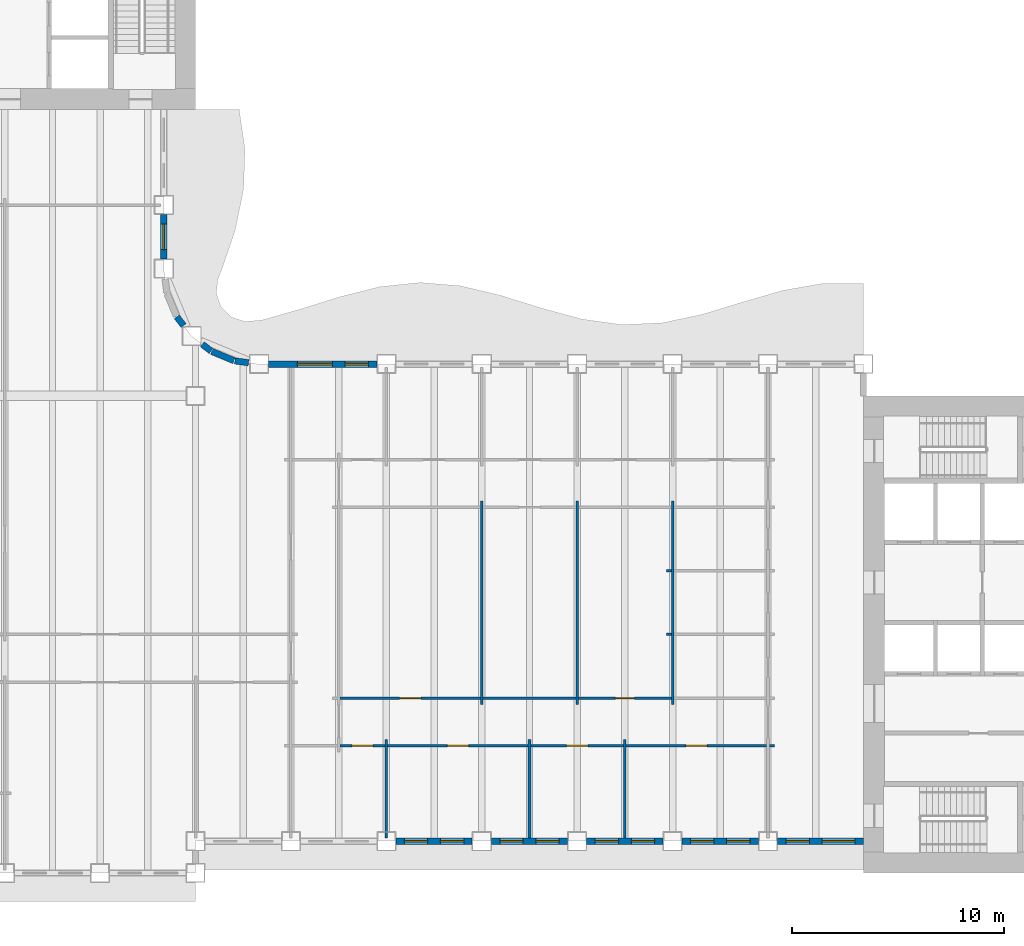
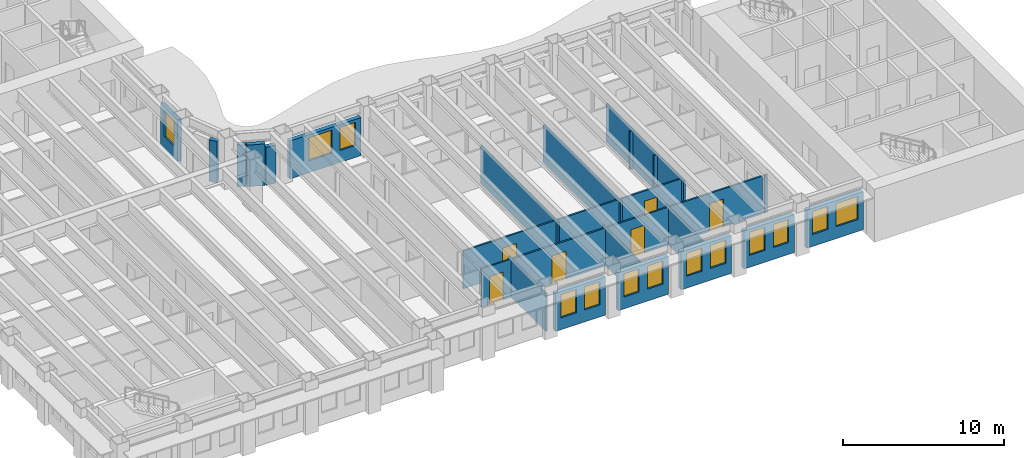
# One storey, part 5 of 16: 27 walls, 13 windows, 6 doors, 19 openings.
"""IFC4 building model written with IfcOpenShell, lengths in metres."""

import ifcopenshell
import ifcopenshell.guid

model = None  # the IFC model being written
_history = None  # IfcOwnerHistory: only IFC2X3 demands one
_inside = {}  # id of a spatial element -> (the spatial element, [elements in it])
_under = {}  # id of a project, library or spatial element -> (it, [spatial elements below it])
_declared = {}  # id of a project -> (the project, [libraries it declares])
_typed = {}  # id of a type object -> (the type object, [elements of that type])
_made_of = {}  # id of a material, layer set ... -> (it, [elements and type objects made of it])


def new_model(schema):
    """Start an empty IFC model of exactly this schema.

    Asked for "IFC4X3", IfcOpenShell would pick the latest addendum, in which some entities
    have other attributes; the version numbers below select the first issue.
    IFC2X3 requires an IfcOwnerHistory on every rooted entity: one is made here for all.
    """
    global model, _history
    if schema == "IFC4X3":
        model = ifcopenshell.file(schema_version=(4, 3, 0, 0))
    else:
        model = ifcopenshell.file(schema=schema)
    _inside.clear()
    _under.clear()
    _declared.clear()
    _typed.clear()
    _made_of.clear()
    _history = None
    if model.schema == "IFC2X3":
        org = make("IfcOrganization", Name="unknown")
        user = make(
            "IfcPersonAndOrganization",
            ThePerson=make("IfcPerson", FamilyName="unknown"),
            TheOrganization=org,
        )
        app = make(
            "IfcApplication",
            ApplicationDeveloper=org,
            Version="unknown",
            ApplicationFullName="unknown",
            ApplicationIdentifier="unknown",
        )
        _history = make(
            "IfcOwnerHistory",
            OwningUser=user,
            OwningApplication=app,
            ChangeAction="ADDED",
            CreationDate=0,
        )
    return model


def make(cls, **values):
    """One entity of the class cls with the attributes given. An attribute that is None is left unset."""
    return model.create_entity(
        cls, **{name: value for name, value in values.items() if value is not None}
    )


def rooted(cls, **values):
    """An entity with a GlobalId (a new one), such as an element, a storey or a relation."""
    return make(cls, GlobalId=ifcopenshell.guid.new(), OwnerHistory=_history, **values)


def si_unit(unit_type, name, prefix=None):
    """IfcSIUnit, for example si_unit("LENGTHUNIT", "METRE", prefix="MILLI")."""
    return make("IfcSIUnit", UnitType=unit_type, Prefix=prefix, Name=name)


def assignment(units):
    """IfcUnitAssignment: the units of a project."""
    return None if units is None else make("IfcUnitAssignment", Units=units)


def point(xyz):
    """IfcCartesianPoint."""
    return None if xyz is None else make("IfcCartesianPoint", Coordinates=xyz)


def direction(xyz):
    """IfcDirection."""
    return None if xyz is None else make("IfcDirection", DirectionRatios=xyz)


def frame(location, z_axis=None, x_axis=None):
    """IfcAxis2Placement3D, a coordinate frame: its origin and axes. An axis left out is left unset."""
    return make(
        "IfcAxis2Placement3D",
        Location=point(location),
        Axis=direction(z_axis),
        RefDirection=direction(x_axis),
    )


def frame_2d(location, x_axis=None):
    """IfcAxis2Placement2D, a coordinate frame in the plane: its origin and x axis."""
    return make(
        "IfcAxis2Placement2D", Location=point(location), RefDirection=direction(x_axis)
    )


def origin():
    """The frame at (0, 0, 0) with its axes left unset."""
    return frame((0.0, 0.0, 0.0))


def place(relative_to, where):
    """IfcLocalPlacement: puts the frame where relative to a parent placement (None: the world)."""
    return make(
        "IfcLocalPlacement", PlacementRelTo=relative_to, RelativePlacement=where
    )


def context(
    kind, dimensions, precision=None, world=None, true_north=None, identifier=None
):
    """IfcGeometricRepresentationContext, for example the 3D "Model" context."""
    return make(
        "IfcGeometricRepresentationContext",
        ContextIdentifier=identifier,
        ContextType=kind,
        CoordinateSpaceDimension=dimensions,
        Precision=precision,
        WorldCoordinateSystem=world,
        TrueNorth=true_north,
    )


def subcontext(parent, identifier, kind, view, scale=None):
    """IfcGeometricRepresentationSubContext, for example "Body" below "Model"."""
    return make(
        "IfcGeometricRepresentationSubContext",
        ContextIdentifier=identifier,
        ContextType=kind,
        ParentContext=parent,
        TargetScale=scale,
        TargetView=view,
    )


def project(units=None, contexts=None):
    """IfcProject with its units and contexts."""
    return rooted(
        "IfcProject",
        Name="project",
        RepresentationContexts=contexts,
        UnitsInContext=assignment(units),
    )


def spatial(cls, under=None, at=None, **own):
    """A site, building, storey or space (cls), placed at a placement, below another one or the project."""
    s = rooted(cls, ObjectPlacement=at, **own)
    if under is not None:
        _under.setdefault(under.id(), (under, []))[1].append(s)
    return s


def profile(cls, at=None, kind="AREA", **sizes):
    """A parametric profile (cls). Its sizes go by their IFC names, for example OverallWidth=200.0."""
    return make(cls, ProfileType=kind, Position=at, **sizes)


def rectangle(**sizes):
    """IfcRectangleProfileDef."""
    return profile("IfcRectangleProfileDef", **sizes)


def extrude(swept, where, along, depth):
    """IfcExtrudedAreaSolid: the profile swept, set in the frame where, extruded along a direction by depth."""
    return make(
        "IfcExtrudedAreaSolid",
        SweptArea=swept,
        Position=where,
        ExtrudedDirection=direction(along),
        Depth=depth,
    )


def shape(context_of_items, identifier, shape_type, items):
    """IfcShapeRepresentation: the items that make up one representation, for example the "Body"."""
    return make(
        "IfcShapeRepresentation",
        ContextOfItems=context_of_items,
        RepresentationIdentifier=identifier,
        RepresentationType=shape_type,
        Items=items,
    )


def material(Name=None, Category=None):
    """IfcMaterial."""
    return make("IfcMaterial", Name=Name, Category=Category)


def layer(
    of_material, thickness, ventilated=None, Name=None, Category=None, Priority=None
):
    """IfcMaterialLayer: one layer of a wall or slab, of a material (None: an air gap)."""
    return make(
        "IfcMaterialLayer",
        Material=of_material,
        LayerThickness=thickness,
        IsVentilated=ventilated,
        Name=Name,
        Category=Category,
        Priority=Priority,
    )


def layer_set(layers, Name=None):
    """IfcMaterialLayerSet."""
    return make("IfcMaterialLayerSet", MaterialLayers=layers, LayerSetName=Name)


def made_of(thing, what):
    """Note that an element or type object is made of a material, layer set ...; save() writes the relation."""
    if what is not None:
        _made_of.setdefault(what.id(), (what, []))[1].append(thing)
    return thing


def type_object(cls, material=None, **own):
    """A type object (cls), such as IfcWallType, which elements share."""
    return made_of(rooted(cls, **own), material)


def element(
    cls,
    number,
    at=None,
    inside=None,
    cuts=None,
    type_object=None,
    material=None,
    context=None,
    identifier="Body",
    shape_type=None,
    held_by="IfcProductDefinitionShape",
    body=None,
    shapes=None,
    **own,
):
    """One element of the class cls, such as IfcWall. Its Tag is "e" and its number.

    at: its placement. inside: the storey or other place that contains it. cuts: it is an
    opening in that element (IfcRelVoidsElement). A single representation is given by context,
    identifier, shape_type and body (its items); several are given by shapes. held_by: the class
    of the entity that holds the representations. save() writes the other relations.
    """
    e = rooted(cls, Tag="e%d" % number, ObjectPlacement=at, **own)
    if body is not None:
        shapes = [shape(context, identifier, shape_type, body)]
    if shapes is not None:
        e.Representation = make(held_by, Representations=shapes)
    if inside is not None:
        _inside.setdefault(inside.id(), (inside, []))[1].append(e)
    if cuts is not None:
        rooted(
            "IfcRelVoidsElement", RelatingBuildingElement=cuts, RelatedOpeningElement=e
        )
    if type_object is not None:
        _typed.setdefault(type_object.id(), (type_object, []))[1].append(e)
    return made_of(e, material)


def fill(opening, filler):
    """IfcRelFillsElement: the door or window that sits in an opening."""
    return rooted(
        "IfcRelFillsElement",
        RelatingOpeningElement=opening,
        RelatedBuildingElement=filler,
    )


def aggregate(whole, parts):
    """IfcRelAggregates: a whole, such as a stair, and the parts it consists of."""
    return rooted("IfcRelAggregates", RelatingObject=whole, RelatedObjects=parts)


def save(model, path):
    """Write the relations noted so far, then the file.

    IfcRelAggregates (storeys below a building ...), IfcRelContainedInSpatialStructure (elements
    in a storey), IfcRelDefinesByType, IfcRelAssociatesMaterial and IfcRelDeclares: one each for
    every whole, place, type object, material and project.
    """
    for whole, parts in _under.values():
        aggregate(whole, parts)
    for where, things in _inside.values():
        rooted(
            "IfcRelContainedInSpatialStructure",
            RelatedElements=things,
            RelatingStructure=where,
        )
    for kind, things in _typed.values():
        rooted("IfcRelDefinesByType", RelatedObjects=things, RelatingType=kind)
    for what, things in _made_of.values():
        rooted("IfcRelAssociatesMaterial", RelatedObjects=things, RelatingMaterial=what)
    for by, libraries in _declared.values():
        rooted("IfcRelDeclares", RelatingContext=by, RelatedDefinitions=libraries)
    model.write(path)


model = new_model("IFC4")

# Units and contexts
model_context = context("Model", 3, precision=1e-05, world=origin(), true_north=direction((0.0, 1.0)))
body_context = subcontext(model_context, "Body", "Model", "MODEL_VIEW")
ifc_project = project(units=[si_unit("LENGTHUNIT", "METRE"), si_unit("AREAUNIT", "SQUARE_METRE"), si_unit("VOLUMEUNIT", "CUBIC_METRE"), si_unit("PLANEANGLEUNIT", "RADIAN"), si_unit("MASSUNIT", "GRAM", prefix="KILO")], contexts=[model_context])

# Site, building, storey
site_placement = place(None, origin())
site = spatial("IfcSite", under=ifc_project, at=site_placement, CompositionType="ELEMENT")
building_placement = place(site_placement, origin())
building = spatial("IfcBuilding", under=site, at=building_placement, Name="Sennacour Bend Tower", CompositionType="ELEMENT")
storey_placement = place(building_placement, frame((0.0, 0.0, 179.0)))
storey = spatial("IfcBuildingStorey", under=building, at=storey_placement, Name="L41", CompositionType="ELEMENT", Elevation=179.0)

# Walls
ifc_material_1 = material(Name="Plasterboard partition on steel studs", Category="steel")
ifc_layer_1 = layer(ifc_material_1, 0.1201171875, Name="Plasterboard partition on steel studs", Category="steel")
ifc_layer_set_1 = layer_set([ifc_layer_1], Name="Plasterboard partition on steel studs")
wall_type_1 = type_object("IfcWallType", Name="Partition 120", PredefinedType="PARTITIONING", material=ifc_layer_set_1)
wall_1_placement = place(storey_placement, frame((31.5, 1.64990234375, 0.0), z_axis=(0.0, 0.0, 1.0), x_axis=(0.0, 1.0, 0.0)))
element("IfcWall", 1, at=wall_1_placement, inside=storey, type_object=wall_type_1, Name="P-L41-W028a", PredefinedType="PARTITIONING", context=body_context, shape_type="SweptSolid", body=[
    extrude(rectangle(XDim=4.650146484375, YDim=0.1201171875, at=frame_2d((2.3251953125, 0.0))), origin(), (0.0, 0.0, 1.0), 2.8701171875),
])
wall_2_placement = place(storey_placement, frame((36.0, 7.949951171875, 0.0), z_axis=(0.0, 0.0, 1.0), x_axis=(0.0, 1.0, 0.0)))
element("IfcWall", 2, at=wall_2_placement, inside=storey, type_object=wall_type_1, Name="P-L41-W030a", PredefinedType="PARTITIONING", context=body_context, shape_type="SweptSolid", body=[
    extrude(rectangle(XDim=9.60009765625, YDim=0.1201171875, at=frame_2d((4.800048828125, 0.0))), origin(), (0.0, 0.0, 1.0), 2.8701171875),
])
wall_3_placement = place(storey_placement, frame((38.25, 1.64990234375, 0.0), z_axis=(0.0, 0.0, 1.0), x_axis=(0.0, 1.0, 0.0)))
element("IfcWall", 3, at=wall_3_placement, inside=storey, type_object=wall_type_1, Name="P-L41-W032a", PredefinedType="PARTITIONING", context=body_context, shape_type="SweptSolid", body=[
    extrude(rectangle(XDim=4.650146484375, YDim=0.1201171875, at=frame_2d((2.3251953125, 0.0))), origin(), (0.0, 0.0, 1.0), 2.8701171875),
])
wall_4_placement = place(storey_placement, frame((40.5, 7.949951171875, 0.0), z_axis=(0.0, 0.0, 1.0), x_axis=(0.0, 1.0, 0.0)))
element("IfcWall", 4, at=wall_4_placement, inside=storey, type_object=wall_type_1, Name="P-L41-W033a", PredefinedType="PARTITIONING", context=body_context, shape_type="SweptSolid", body=[
    extrude(rectangle(XDim=9.60009765625, YDim=0.1201171875, at=frame_2d((4.800048828125, 0.0))), origin(), (0.0, 0.0, 1.0), 2.8701171875),
])
wall_5_placement = place(storey_placement, frame((42.75, 1.64990234375, 0.0), z_axis=(0.0, 0.0, 1.0), x_axis=(0.0, 1.0, 0.0)))
element("IfcWall", 5, at=wall_5_placement, inside=storey, type_object=wall_type_1, Name="P-L41-W035a", PredefinedType="PARTITIONING", context=body_context, shape_type="SweptSolid", body=[
    extrude(rectangle(XDim=4.650146484375, YDim=0.1201171875, at=frame_2d((2.3251953125, 0.0))), origin(), (0.0, 0.0, 1.0), 2.8701171875),
])
wall_6_placement = place(storey_placement, frame((45.0, 7.949951171875, 0.0), z_axis=(0.0, 0.0, 1.0), x_axis=(0.0, 1.0, 0.0)))
element("IfcWall", 6, at=wall_6_placement, inside=storey, type_object=wall_type_1, Name="P-L41-W036a", PredefinedType="PARTITIONING", context=body_context, shape_type="SweptSolid", body=[
    extrude(rectangle(XDim=9.60009765625, YDim=0.1201171875, at=frame_2d((4.800048828125, 0.0))), origin(), (0.0, 0.0, 1.0), 2.8701171875),
])

# Wall, opening, door
wall_7_placement = place(storey_placement, frame((29.31005859375, 6.0, 0.0), z_axis=(0.0, 0.0, 1.0), x_axis=(1.0, 0.0, 0.0)))
wall_7 = element("IfcWall", 7, at=wall_7_placement, inside=storey, type_object=wall_type_1, Name="P-L41-W061ac", PredefinedType="PARTITIONING", context=body_context, shape_type="SweptSolid", body=[
    extrude(rectangle(XDim=2.1298828125, YDim=0.1201171875, at=frame_2d((1.06494140625, 0.0))), origin(), (0.0, 0.0, 1.0), 2.8701171875),
])
opening_1_placement = place(wall_7_placement, frame((0.56494140625, 0.0, 0.0)))
opening_1 = element("IfcOpeningElement", 8, at=opening_1_placement, cuts=wall_7, Name="Opening OD2", PredefinedType="OPENING", context=body_context, shape_type="SweptSolid", body=[
    extrude(rectangle(XDim=1.0, YDim=2.10009765625, at=frame_2d((0.5, 1.050048828125))), frame((0.0, 0.070068359375, 0.0), z_axis=(0.0, -1.0, 0.0), x_axis=(1.0, 0.0, 0.0)), (0.0, 0.0, 1.0), 0.14013671875),
])
ifc_material_2 = material(Name="Timber", Category="wood")
door_type_1 = type_object("IfcDoorType", Name="DR-OFFICE-1000", OperationType="NOTDEFINED", PredefinedType="DOOR", material=ifc_material_2)
door_1_placement = place(opening_1_placement, origin())
door_1 = element("IfcDoor", 9, at=door_1_placement, inside=storey, type_object=door_type_1, Name="Door", OperationType="SINGLE_SWING_LEFT", OverallHeight=2.10009765625, OverallWidth=1.0, PredefinedType="DOOR", context=body_context, shape_type="SweptSolid", body=[
    extrude(rectangle(XDim=1.0, YDim=2.10009765625, at=frame_2d((0.5, 1.050048828125))), frame((0.0, 0.02490234375, 0.0), z_axis=(0.0, -1.0, 0.0), x_axis=(1.0, 0.0, 0.0)), (0.0, 0.0, 1.0), 0.050048828125),
])
fill(opening_1, door_1)

wall_8_placement = place(storey_placement, frame((31.56005859375, 6.0, 0.0), z_axis=(0.0, 0.0, 1.0), x_axis=(1.0, 0.0, 0.0)))
wall_8 = element("IfcWall", 10, at=wall_8_placement, inside=storey, type_object=wall_type_1, Name="P-L41-W061ad", PredefinedType="PARTITIONING", context=body_context, shape_type="SweptSolid", body=[
    extrude(rectangle(XDim=6.6298828125, YDim=0.1201171875, at=frame_2d((3.31494140625, 0.0))), origin(), (0.0, 0.0, 1.0), 2.8701171875),
])
opening_2_placement = place(wall_8_placement, frame((2.81494140625, 0.0, 0.0)))
opening_2 = element("IfcOpeningElement", 11, at=opening_2_placement, cuts=wall_8, Name="Opening OD2", PredefinedType="OPENING", context=body_context, shape_type="SweptSolid", body=[
    extrude(rectangle(XDim=1.0, YDim=2.10009765625, at=frame_2d((0.5, 1.050048828125))), frame((0.0, 0.070068359375, 0.0), z_axis=(0.0, -1.0, 0.0), x_axis=(1.0, 0.0, 0.0)), (0.0, 0.0, 1.0), 0.14013671875),
])
door_2_placement = place(opening_2_placement, origin())
door_2 = element("IfcDoor", 12, at=door_2_placement, inside=storey, type_object=door_type_1, Name="Door", OperationType="SINGLE_SWING_LEFT", OverallHeight=2.10009765625, OverallWidth=1.0, PredefinedType="DOOR", context=body_context, shape_type="SweptSolid", body=[
    extrude(rectangle(XDim=1.0, YDim=2.10009765625, at=frame_2d((0.5, 1.050048828125))), frame((0.0, 0.02490234375, 0.0), z_axis=(0.0, -1.0, 0.0), x_axis=(1.0, 0.0, 0.0)), (0.0, 0.0, 1.0), 0.050048828125),
])
fill(opening_2, door_2)

wall_9_placement = place(storey_placement, frame((38.31005859375, 6.0, 0.0), z_axis=(0.0, 0.0, 1.0), x_axis=(1.0, 0.0, 0.0)))
wall_9 = element("IfcWall", 13, at=wall_9_placement, inside=storey, type_object=wall_type_1, Name="P-L41-W061ae", PredefinedType="PARTITIONING", context=body_context, shape_type="SweptSolid", body=[
    extrude(rectangle(XDim=4.3798828125, YDim=0.1201171875, at=frame_2d((2.18994140625, 0.0))), origin(), (0.0, 0.0, 1.0), 2.8701171875),
])
opening_3_placement = place(wall_9_placement, frame((1.68994140625, 0.0, 0.0)))
opening_3 = element("IfcOpeningElement", 14, at=opening_3_placement, cuts=wall_9, Name="Opening MD2", PredefinedType="OPENING", context=body_context, shape_type="SweptSolid", body=[
    extrude(rectangle(XDim=1.0, YDim=2.10009765625, at=frame_2d((0.5, 1.050048828125))), frame((0.0, 0.070068359375, 0.0), z_axis=(0.0, -1.0, 0.0), x_axis=(1.0, 0.0, 0.0)), (0.0, 0.0, 1.0), 0.14013671875),
])
door_type_2 = type_object("IfcDoorType", Name="DR-MEETING-1000", OperationType="NOTDEFINED", PredefinedType="DOOR", material=ifc_material_2)
door_3_placement = place(opening_3_placement, origin())
door_3 = element("IfcDoor", 15, at=door_3_placement, inside=storey, type_object=door_type_2, Name="Door", OperationType="SINGLE_SWING_LEFT", OverallHeight=2.10009765625, OverallWidth=1.0, PredefinedType="DOOR", context=body_context, shape_type="SweptSolid", body=[
    extrude(rectangle(XDim=1.0, YDim=2.10009765625, at=frame_2d((0.5, 1.050048828125))), frame((0.0, 0.02490234375, 0.0), z_axis=(0.0, -1.0, 0.0), x_axis=(1.0, 0.0, 0.0)), (0.0, 0.0, 1.0), 0.050048828125),
])
fill(opening_3, door_3)

wall_10_placement = place(storey_placement, frame((42.81005859375, 6.0, 0.0), z_axis=(0.0, 0.0, 1.0), x_axis=(1.0, 0.0, 0.0)))
wall_10 = element("IfcWall", 16, at=wall_10_placement, inside=storey, type_object=wall_type_1, Name="P-L41-W061af", PredefinedType="PARTITIONING", context=body_context, shape_type="SweptSolid", body=[
    extrude(rectangle(XDim=6.6298828125, YDim=0.1201171875, at=frame_2d((3.31494140625, 0.0))), origin(), (0.0, 0.0, 1.0), 2.8701171875),
])
opening_4_placement = place(wall_10_placement, frame((2.81494140625, 0.0, 0.0)))
opening_4 = element("IfcOpeningElement", 17, at=opening_4_placement, cuts=wall_10, Name="Opening OD2", PredefinedType="OPENING", context=body_context, shape_type="SweptSolid", body=[
    extrude(rectangle(XDim=1.0, YDim=2.10009765625, at=frame_2d((0.5, 1.050048828125))), frame((0.0, 0.070068359375, 0.0), z_axis=(0.0, -1.0, 0.0), x_axis=(1.0, 0.0, 0.0)), (0.0, 0.0, 1.0), 0.14013671875),
])
door_4_placement = place(opening_4_placement, origin())
door_4 = element("IfcDoor", 18, at=door_4_placement, inside=storey, type_object=door_type_1, Name="Door", OperationType="SINGLE_SWING_LEFT", OverallHeight=2.10009765625, OverallWidth=1.0, PredefinedType="DOOR", context=body_context, shape_type="SweptSolid", body=[
    extrude(rectangle(XDim=1.0, YDim=2.10009765625, at=frame_2d((0.5, 1.050048828125))), frame((0.0, 0.02490234375, 0.0), z_axis=(0.0, -1.0, 0.0), x_axis=(1.0, 0.0, 0.0)), (0.0, 0.0, 1.0), 0.050048828125),
])
fill(opening_4, door_4)

# Wall
wall_11_placement = place(storey_placement, frame((49.56005859375, 6.0, 0.0), z_axis=(0.0, 0.0, 1.0), x_axis=(1.0, 0.0, 0.0)))
element("IfcWall", 19, at=wall_11_placement, inside=storey, type_object=wall_type_1, Name="P-L41-W061ag", PredefinedType="PARTITIONING", context=body_context, shape_type="SweptSolid", body=[
    extrude(rectangle(XDim=0.239990234375, YDim=0.1201171875, at=frame_2d((0.1201171875, 0.0))), origin(), (0.0, 0.0, 1.0), 2.8701171875),
])

# Wall, opening, door
wall_12_placement = place(storey_placement, frame((29.31005859375, 8.25, 0.0), z_axis=(0.0, 0.0, 1.0), x_axis=(1.0, 0.0, 0.0)))
wall_12 = element("IfcWall", 20, at=wall_12_placement, inside=storey, type_object=wall_type_1, Name="P-L41-W063ab", PredefinedType="PARTITIONING", context=body_context, shape_type="SweptSolid", body=[
    extrude(rectangle(XDim=6.6298828125, YDim=0.1201171875, at=frame_2d((3.31494140625, 0.0))), origin(), (0.0, 0.0, 1.0), 2.8701171875),
])
opening_5_placement = place(wall_12_placement, frame((2.81494140625, 0.0, 0.0)))
opening_5 = element("IfcOpeningElement", 21, at=opening_5_placement, cuts=wall_12, Name="Opening OD2", PredefinedType="OPENING", context=body_context, shape_type="SweptSolid", body=[
    extrude(rectangle(XDim=1.0, YDim=2.10009765625, at=frame_2d((0.5, 1.050048828125))), frame((0.0, 0.070068359375, 0.0), z_axis=(0.0, -1.0, 0.0), x_axis=(1.0, 0.0, 0.0)), (0.0, 0.0, 1.0), 0.14013671875),
])
door_5_placement = place(opening_5_placement, origin())
door_5 = element("IfcDoor", 22, at=door_5_placement, inside=storey, type_object=door_type_1, Name="Door", OperationType="SINGLE_SWING_LEFT", OverallHeight=2.10009765625, OverallWidth=1.0, PredefinedType="DOOR", context=body_context, shape_type="SweptSolid", body=[
    extrude(rectangle(XDim=1.0, YDim=2.10009765625, at=frame_2d((0.5, 1.050048828125))), frame((0.0, 0.02490234375, 0.0), z_axis=(0.0, -1.0, 0.0), x_axis=(1.0, 0.0, 0.0)), (0.0, 0.0, 1.0), 0.050048828125),
])
fill(opening_5, door_5)

# Walls
wall_13_placement = place(storey_placement, frame((36.06005859375, 8.25, 0.0), z_axis=(0.0, 0.0, 1.0), x_axis=(1.0, 0.0, 0.0)))
element("IfcWall", 23, at=wall_13_placement, inside=storey, type_object=wall_type_1, Name="P-L41-W063ac", PredefinedType="PARTITIONING", context=body_context, shape_type="SweptSolid", body=[
    extrude(rectangle(XDim=4.3798828125, YDim=0.1201171875, at=frame_2d((2.18994140625, 0.0))), origin(), (0.0, 0.0, 1.0), 2.8701171875),
])
for number, where, z_axis, x_axis, name in (
    (24, (44.699951171875, 11.25, 0.0), (0.0, 0.0, 1.0), (1.0, 0.0, 0.0), "P-L41-W068aa"),
    (25, (44.699951171875, 14.25, 0.0), (0.0, 0.0, 1.0), (1.0, 0.0, 0.0), "P-L41-W071aa"),
):
    element("IfcWall", number, at=place(storey_placement, frame(where, z_axis=z_axis, x_axis=x_axis)), inside=storey, type_object=wall_type_1, Name=name, PredefinedType="PARTITIONING", context=body_context, shape_type="SweptSolid", body=[
        extrude(rectangle(XDim=0.239990234375, YDim=0.1201171875, at=frame_2d((0.1201171875, 0.0))), origin(), (0.0, 0.0, 1.0), 2.8701171875),
    ])

# Wall, opening, door
ifc_layer_2 = layer(ifc_material_1, 0.1201171875, Name="Plasterboard partition on steel studs", Category="steel")
ifc_layer_set_2 = layer_set([ifc_layer_2], Name="Plasterboard partition on steel studs")
wall_type_2 = type_object("IfcWallType", Name="Partition 120 EI 60", PredefinedType="PARTITIONING", material=ifc_layer_set_2)
wall_14_placement = place(storey_placement, frame((40.56005859375, 8.25, 0.0), z_axis=(0.0, 0.0, 1.0), x_axis=(1.0, 0.0, 0.0)))
wall_14 = element("IfcWall", 26, at=wall_14_placement, inside=storey, type_object=wall_type_2, Name="P-L41-W063ad", PredefinedType="PARTITIONING", context=body_context, shape_type="SweptSolid", body=[
    extrude(rectangle(XDim=4.3798828125, YDim=0.1201171875, at=frame_2d((2.18994140625, 0.0))), origin(), (0.0, 0.0, 1.0), 2.8701171875),
])
opening_6_placement = place(wall_14_placement, frame((1.739990234375, 0.0, 0.0)))
opening_6 = element("IfcOpeningElement", 27, at=opening_6_placement, cuts=wall_14, Name="Opening SV", PredefinedType="OPENING", context=body_context, shape_type="SweptSolid", body=[
    extrude(rectangle(XDim=0.89990234375, YDim=2.10009765625, at=frame_2d((0.449951171875, 1.050048828125))), frame((0.0, 0.070068359375, 0.0), z_axis=(0.0, -1.0, 0.0), x_axis=(1.0, 0.0, 0.0)), (0.0, 0.0, 1.0), 0.14013671875),
])
ifc_material_3 = material(Name="Painted steel", Category="steel")
door_type_3 = type_object("IfcDoorType", Name="DR-SERVICE-900", OperationType="NOTDEFINED", PredefinedType="DOOR", material=ifc_material_3)
door_6_placement = place(opening_6_placement, origin())
door_6 = element("IfcDoor", 28, at=door_6_placement, inside=storey, type_object=door_type_3, Name="Door", OperationType="SINGLE_SWING_LEFT", OverallHeight=2.10009765625, OverallWidth=0.89990234375, PredefinedType="DOOR", context=body_context, shape_type="SweptSolid", body=[
    extrude(rectangle(XDim=0.89990234375, YDim=2.10009765625, at=frame_2d((0.449951171875, 1.050048828125))), frame((0.0, 0.02490234375, 0.0), z_axis=(0.0, -1.0, 0.0), x_axis=(1.0, 0.0, 0.0)), (0.0, 0.0, 1.0), 0.050048828125),
])
fill(opening_6, door_6)

# Wall, openings, windows
ifc_material_4 = material(Name="Warm limestone cladding", Category="masonry")
ifc_layer_3 = layer(ifc_material_4, 0.050048828125, Name="Warm limestone cladding", Category="masonry")
ifc_material_5 = material(Name="Precast concrete C40/50", Category="concrete")
ifc_layer_4 = layer(ifc_material_5, 0.25, Name="Precast concrete C40/50", Category="concrete")
ifc_layer_set_3 = layer_set([ifc_layer_3, ifc_layer_4], Name="Precast concrete C40/50 with limestone cladding")
wall_type_3 = type_object("IfcWallType", Name="STONE-CLAD PRECAST SPANDREL 300", PredefinedType="STANDARD", material=ifc_layer_set_3)
wall_15_placement = place(storey_placement, frame((31.949951171875, 1.5, 0.0), z_axis=(0.0, 0.0, 1.0), x_axis=(1.0, 0.0, 0.0)))
wall_15 = element("IfcWall", 29, at=wall_15_placement, inside=storey, type_object=wall_type_3, Name="Stone spandrel and pier wall L41 02.02", PredefinedType="STANDARD", context=body_context, shape_type="SweptSolid", body=[
    extrude(rectangle(XDim=3.60009765625, YDim=0.300048828125, at=frame_2d((1.800048828125, 0.0))), origin(), (0.0, 0.0, 1.0), 2.8701171875),
])
opening_7_placement = place(wall_15_placement, frame((0.39990234375, 0.0, 0.89990234375)))
opening_7 = element("IfcOpeningElement", 30, at=opening_7_placement, cuts=wall_15, Name="Opening W17", PredefinedType="OPENING", context=body_context, shape_type="SweptSolid", body=[
    extrude(rectangle(XDim=1.10009765625, YDim=1.75, at=frame_2d((0.550048828125, 0.875))), frame((0.0, 0.16015625, 0.0), z_axis=(0.0, -1.0, 0.0), x_axis=(1.0, 0.0, 0.0)), (0.0, 0.0, 1.0), 0.320068359375),
])
opening_8_placement = place(wall_15_placement, frame((2.10009765625, 0.0, 0.89990234375)))
opening_8 = element("IfcOpeningElement", 31, at=opening_8_placement, cuts=wall_15, Name="Opening W17", PredefinedType="OPENING", context=body_context, shape_type="SweptSolid", body=[
    extrude(rectangle(XDim=1.10009765625, YDim=1.75, at=frame_2d((0.550048828125, 0.875))), frame((0.0, 0.16015625, 0.0), z_axis=(0.0, -1.0, 0.0), x_axis=(1.0, 0.0, 0.0)), (0.0, 0.0, 1.0), 0.320068359375),
])
ifc_material_6 = material(Name="Clear low-emissivity glass", Category="glass")
window_type_1 = type_object("IfcWindowType", Name="WIN-RIBBON-1100x1750", PartitioningType="SINGLE_PANEL", PredefinedType="WINDOW", material=ifc_material_6)
window_1_placement = place(opening_7_placement, origin())
window_1 = element("IfcWindow", 32, at=window_1_placement, inside=storey, type_object=window_type_1, Name="Ribbon window L41 02.02.0", OverallHeight=1.75, OverallWidth=1.10009765625, PartitioningType="SINGLE_PANEL", PredefinedType="WINDOW", context=body_context, shape_type="SweptSolid", body=[
    extrude(rectangle(XDim=1.10009765625, YDim=1.75, at=frame_2d((0.550048828125, 0.875))), frame((0.0, 0.030029296875, 0.0), z_axis=(0.0, -1.0, 0.0), x_axis=(1.0, 0.0, 0.0)), (0.0, 0.0, 1.0), 0.06005859375),
])
fill(opening_7, window_1)
window_2_placement = place(opening_8_placement, origin())
window_2 = element("IfcWindow", 33, at=window_2_placement, inside=storey, type_object=window_type_1, Name="Ribbon window L41 02.02.1", OverallHeight=1.75, OverallWidth=1.10009765625, PartitioningType="SINGLE_PANEL", PredefinedType="WINDOW", context=body_context, shape_type="SweptSolid", body=[
    extrude(rectangle(XDim=1.10009765625, YDim=1.75, at=frame_2d((0.550048828125, 0.875))), frame((0.0, 0.030029296875, 0.0), z_axis=(0.0, -1.0, 0.0), x_axis=(1.0, 0.0, 0.0)), (0.0, 0.0, 1.0), 0.06005859375),
])
fill(opening_8, window_2)

wall_16_placement = place(storey_placement, frame((36.449951171875, 1.5, 0.0), z_axis=(0.0, 0.0, 1.0), x_axis=(1.0, 0.0, 0.0)))
wall_16 = element("IfcWall", 34, at=wall_16_placement, inside=storey, type_object=wall_type_3, Name="Stone spandrel and pier wall L41 02.03", PredefinedType="STANDARD", context=body_context, shape_type="SweptSolid", body=[
    extrude(rectangle(XDim=3.60009765625, YDim=0.300048828125, at=frame_2d((1.800048828125, 0.0))), origin(), (0.0, 0.0, 1.0), 2.8701171875),
])
opening_9_placement = place(wall_16_placement, frame((0.39990234375, 0.0, 0.89990234375)))
opening_9 = element("IfcOpeningElement", 35, at=opening_9_placement, cuts=wall_16, Name="Opening W17", PredefinedType="OPENING", context=body_context, shape_type="SweptSolid", body=[
    extrude(rectangle(XDim=1.10009765625, YDim=1.75, at=frame_2d((0.550048828125, 0.875))), frame((0.0, 0.16015625, 0.0), z_axis=(0.0, -1.0, 0.0), x_axis=(1.0, 0.0, 0.0)), (0.0, 0.0, 1.0), 0.320068359375),
])
opening_10_placement = place(wall_16_placement, frame((2.10009765625, 0.0, 0.89990234375)))
opening_10 = element("IfcOpeningElement", 36, at=opening_10_placement, cuts=wall_16, Name="Opening W17", PredefinedType="OPENING", context=body_context, shape_type="SweptSolid", body=[
    extrude(rectangle(XDim=1.10009765625, YDim=1.75, at=frame_2d((0.550048828125, 0.875))), frame((0.0, 0.16015625, 0.0), z_axis=(0.0, -1.0, 0.0), x_axis=(1.0, 0.0, 0.0)), (0.0, 0.0, 1.0), 0.320068359375),
])
window_3_placement = place(opening_9_placement, origin())
window_3 = element("IfcWindow", 37, at=window_3_placement, inside=storey, type_object=window_type_1, Name="Ribbon window L41 02.03.0", OverallHeight=1.75, OverallWidth=1.10009765625, PartitioningType="SINGLE_PANEL", PredefinedType="WINDOW", context=body_context, shape_type="SweptSolid", body=[
    extrude(rectangle(XDim=1.10009765625, YDim=1.75, at=frame_2d((0.550048828125, 0.875))), frame((0.0, 0.030029296875, 0.0), z_axis=(0.0, -1.0, 0.0), x_axis=(1.0, 0.0, 0.0)), (0.0, 0.0, 1.0), 0.06005859375),
])
fill(opening_9, window_3)
window_4_placement = place(opening_10_placement, origin())
window_4 = element("IfcWindow", 38, at=window_4_placement, inside=storey, type_object=window_type_1, Name="Ribbon window L41 02.03.1", OverallHeight=1.75, OverallWidth=1.10009765625, PartitioningType="SINGLE_PANEL", PredefinedType="WINDOW", context=body_context, shape_type="SweptSolid", body=[
    extrude(rectangle(XDim=1.10009765625, YDim=1.75, at=frame_2d((0.550048828125, 0.875))), frame((0.0, 0.030029296875, 0.0), z_axis=(0.0, -1.0, 0.0), x_axis=(1.0, 0.0, 0.0)), (0.0, 0.0, 1.0), 0.06005859375),
])
fill(opening_10, window_4)

wall_17_placement = place(storey_placement, frame((40.949951171875, 1.5, 0.0), z_axis=(0.0, 0.0, 1.0), x_axis=(1.0, 0.0, 0.0)))
wall_17 = element("IfcWall", 39, at=wall_17_placement, inside=storey, type_object=wall_type_3, Name="Stone spandrel and pier wall L41 02.04", PredefinedType="STANDARD", context=body_context, shape_type="SweptSolid", body=[
    extrude(rectangle(XDim=3.60009765625, YDim=0.300048828125, at=frame_2d((1.800048828125, 0.0))), origin(), (0.0, 0.0, 1.0), 2.8701171875),
])
opening_11_placement = place(wall_17_placement, frame((0.39990234375, 0.0, 0.89990234375)))
opening_11 = element("IfcOpeningElement", 40, at=opening_11_placement, cuts=wall_17, Name="Opening W17", PredefinedType="OPENING", context=body_context, shape_type="SweptSolid", body=[
    extrude(rectangle(XDim=1.10009765625, YDim=1.75, at=frame_2d((0.550048828125, 0.875))), frame((0.0, 0.16015625, 0.0), z_axis=(0.0, -1.0, 0.0), x_axis=(1.0, 0.0, 0.0)), (0.0, 0.0, 1.0), 0.320068359375),
])
opening_12_placement = place(wall_17_placement, frame((2.10009765625, 0.0, 0.89990234375)))
opening_12 = element("IfcOpeningElement", 41, at=opening_12_placement, cuts=wall_17, Name="Opening W17", PredefinedType="OPENING", context=body_context, shape_type="SweptSolid", body=[
    extrude(rectangle(XDim=1.10009765625, YDim=1.75, at=frame_2d((0.550048828125, 0.875))), frame((0.0, 0.16015625, 0.0), z_axis=(0.0, -1.0, 0.0), x_axis=(1.0, 0.0, 0.0)), (0.0, 0.0, 1.0), 0.320068359375),
])
window_5_placement = place(opening_11_placement, origin())
window_5 = element("IfcWindow", 42, at=window_5_placement, inside=storey, type_object=window_type_1, Name="Ribbon window L41 02.04.0", OverallHeight=1.75, OverallWidth=1.10009765625, PartitioningType="SINGLE_PANEL", PredefinedType="WINDOW", context=body_context, shape_type="SweptSolid", body=[
    extrude(rectangle(XDim=1.10009765625, YDim=1.75, at=frame_2d((0.550048828125, 0.875))), frame((0.0, 0.030029296875, 0.0), z_axis=(0.0, -1.0, 0.0), x_axis=(1.0, 0.0, 0.0)), (0.0, 0.0, 1.0), 0.06005859375),
])
fill(opening_11, window_5)
window_6_placement = place(opening_12_placement, origin())
window_6 = element("IfcWindow", 43, at=window_6_placement, inside=storey, type_object=window_type_1, Name="Ribbon window L41 02.04.1", OverallHeight=1.75, OverallWidth=1.10009765625, PartitioningType="SINGLE_PANEL", PredefinedType="WINDOW", context=body_context, shape_type="SweptSolid", body=[
    extrude(rectangle(XDim=1.10009765625, YDim=1.75, at=frame_2d((0.550048828125, 0.875))), frame((0.0, 0.030029296875, 0.0), z_axis=(0.0, -1.0, 0.0), x_axis=(1.0, 0.0, 0.0)), (0.0, 0.0, 1.0), 0.06005859375),
])
fill(opening_12, window_6)

wall_18_placement = place(storey_placement, frame((45.449951171875, 1.5, 0.0), z_axis=(0.0, 0.0, 1.0), x_axis=(1.0, 0.0, 0.0)))
wall_18 = element("IfcWall", 44, at=wall_18_placement, inside=storey, type_object=wall_type_3, Name="Stone spandrel and pier wall L41 02.05", PredefinedType="STANDARD", context=body_context, shape_type="SweptSolid", body=[
    extrude(rectangle(XDim=3.60009765625, YDim=0.300048828125, at=frame_2d((1.800048828125, 0.0))), origin(), (0.0, 0.0, 1.0), 2.8701171875),
])
opening_13_placement = place(wall_18_placement, frame((0.39990234375, 0.0, 0.89990234375)))
opening_13 = element("IfcOpeningElement", 45, at=opening_13_placement, cuts=wall_18, Name="Opening W17", PredefinedType="OPENING", context=body_context, shape_type="SweptSolid", body=[
    extrude(rectangle(XDim=1.10009765625, YDim=1.75, at=frame_2d((0.550048828125, 0.875))), frame((0.0, 0.16015625, 0.0), z_axis=(0.0, -1.0, 0.0), x_axis=(1.0, 0.0, 0.0)), (0.0, 0.0, 1.0), 0.320068359375),
])
opening_14_placement = place(wall_18_placement, frame((2.10009765625, 0.0, 0.89990234375)))
opening_14 = element("IfcOpeningElement", 46, at=opening_14_placement, cuts=wall_18, Name="Opening W17", PredefinedType="OPENING", context=body_context, shape_type="SweptSolid", body=[
    extrude(rectangle(XDim=1.10009765625, YDim=1.75, at=frame_2d((0.550048828125, 0.875))), frame((0.0, 0.16015625, 0.0), z_axis=(0.0, -1.0, 0.0), x_axis=(1.0, 0.0, 0.0)), (0.0, 0.0, 1.0), 0.320068359375),
])
window_7_placement = place(opening_13_placement, origin())
window_7 = element("IfcWindow", 47, at=window_7_placement, inside=storey, type_object=window_type_1, Name="Ribbon window L41 02.05.0", OverallHeight=1.75, OverallWidth=1.10009765625, PartitioningType="SINGLE_PANEL", PredefinedType="WINDOW", context=body_context, shape_type="SweptSolid", body=[
    extrude(rectangle(XDim=1.10009765625, YDim=1.75, at=frame_2d((0.550048828125, 0.875))), frame((0.0, 0.030029296875, 0.0), z_axis=(0.0, -1.0, 0.0), x_axis=(1.0, 0.0, 0.0)), (0.0, 0.0, 1.0), 0.06005859375),
])
fill(opening_13, window_7)
window_8_placement = place(opening_14_placement, origin())
window_8 = element("IfcWindow", 48, at=window_8_placement, inside=storey, type_object=window_type_1, Name="Ribbon window L41 02.05.1", OverallHeight=1.75, OverallWidth=1.10009765625, PartitioningType="SINGLE_PANEL", PredefinedType="WINDOW", context=body_context, shape_type="SweptSolid", body=[
    extrude(rectangle(XDim=1.10009765625, YDim=1.75, at=frame_2d((0.550048828125, 0.875))), frame((0.0, 0.030029296875, 0.0), z_axis=(0.0, -1.0, 0.0), x_axis=(1.0, 0.0, 0.0)), (0.0, 0.0, 1.0), 0.06005859375),
])
fill(opening_14, window_8)

wall_19_placement = place(storey_placement, frame((49.949951171875, 1.5, 0.0), z_axis=(0.0, 0.0, 1.0), x_axis=(1.0, 0.0, 0.0)))
wall_19 = element("IfcWall", 49, at=wall_19_placement, inside=storey, type_object=wall_type_3, Name="Stone spandrel and pier wall L41 02.06", PredefinedType="STANDARD", context=body_context, shape_type="SweptSolid", body=[
    extrude(rectangle(XDim=4.050048828125, YDim=0.300048828125, at=frame_2d((2.02490234375, 0.0))), origin(), (0.0, 0.0, 1.0), 2.8701171875),
])
opening_15_placement = place(wall_19_placement, frame((0.39990234375, 0.0, 0.89990234375)))
opening_15 = element("IfcOpeningElement", 50, at=opening_15_placement, cuts=wall_19, Name="Opening W17", PredefinedType="OPENING", context=body_context, shape_type="SweptSolid", body=[
    extrude(rectangle(XDim=1.10009765625, YDim=1.75, at=frame_2d((0.550048828125, 0.875))), frame((0.0, 0.16015625, 0.0), z_axis=(0.0, -1.0, 0.0), x_axis=(1.0, 0.0, 0.0)), (0.0, 0.0, 1.0), 0.320068359375),
])
opening_16_placement = place(wall_19_placement, frame((2.10009765625, 0.0, 0.89990234375)))
opening_16 = element("IfcOpeningElement", 51, at=opening_16_placement, cuts=wall_19, Name="Opening W12", PredefinedType="OPENING", context=body_context, shape_type="SweptSolid", body=[
    extrude(rectangle(XDim=1.550048828125, YDim=1.75, at=frame_2d((0.77490234375, 0.875))), frame((0.0, 0.16015625, 0.0), z_axis=(0.0, -1.0, 0.0), x_axis=(1.0, 0.0, 0.0)), (0.0, 0.0, 1.0), 0.320068359375),
])
window_9_placement = place(opening_15_placement, origin())
window_9 = element("IfcWindow", 52, at=window_9_placement, inside=storey, type_object=window_type_1, Name="Ribbon window L41 02.06.0", OverallHeight=1.75, OverallWidth=1.10009765625, PartitioningType="SINGLE_PANEL", PredefinedType="WINDOW", context=body_context, shape_type="SweptSolid", body=[
    extrude(rectangle(XDim=1.10009765625, YDim=1.75, at=frame_2d((0.550048828125, 0.875))), frame((0.0, 0.030029296875, 0.0), z_axis=(0.0, -1.0, 0.0), x_axis=(1.0, 0.0, 0.0)), (0.0, 0.0, 1.0), 0.06005859375),
])
fill(opening_15, window_9)
window_type_2 = type_object("IfcWindowType", Name="WIN-RIBBON-1550x1750", PartitioningType="SINGLE_PANEL", PredefinedType="WINDOW", material=ifc_material_6)
window_10_placement = place(opening_16_placement, origin())
window_10 = element("IfcWindow", 53, at=window_10_placement, inside=storey, type_object=window_type_2, Name="Ribbon window L41 02.06.1", OverallHeight=1.75, OverallWidth=1.550048828125, PartitioningType="SINGLE_PANEL", PredefinedType="WINDOW", context=body_context, shape_type="SweptSolid", body=[
    extrude(rectangle(XDim=1.550048828125, YDim=1.75, at=frame_2d((0.77490234375, 0.875))), frame((0.0, 0.030029296875, 0.0), z_axis=(0.0, -1.0, 0.0), x_axis=(1.0, 0.0, 0.0)), (0.0, 0.0, 1.0), 0.06005859375),
])
fill(opening_16, window_10)

wall_20_placement = place(storey_placement, frame((31.050048828125, 24.0, 0.0), z_axis=(0.0, 0.0, 1.0), x_axis=(-1.0, 0.0, 0.0)))
wall_20 = element("IfcWall", 54, at=wall_20_placement, inside=storey, type_object=wall_type_3, Name="Stone spandrel and pier wall L41 08.05", PredefinedType="STANDARD", context=body_context, shape_type="SweptSolid", body=[
    extrude(rectangle(XDim=5.10009765625, YDim=0.300048828125, at=frame_2d((2.550048828125, 0.0))), origin(), (0.0, 0.0, 1.0), 2.8701171875),
])
opening_17_placement = place(wall_20_placement, frame((0.39990234375, 0.0, 0.89990234375)))
opening_17 = element("IfcOpeningElement", 55, at=opening_17_placement, cuts=wall_20, Name="Opening W17", PredefinedType="OPENING", context=body_context, shape_type="SweptSolid", body=[
    extrude(rectangle(XDim=1.10009765625, YDim=1.75, at=frame_2d((0.550048828125, 0.875))), frame((0.0, 0.16015625, 0.0), z_axis=(0.0, -1.0, 0.0), x_axis=(1.0, 0.0, 0.0)), (0.0, 0.0, 1.0), 0.320068359375),
])
opening_18_placement = place(wall_20_placement, frame((2.10009765625, 0.0, 0.89990234375)))
opening_18 = element("IfcOpeningElement", 56, at=opening_18_placement, cuts=wall_20, Name="Opening W18", PredefinedType="OPENING", context=body_context, shape_type="SweptSolid", body=[
    extrude(rectangle(XDim=1.64990234375, YDim=1.75, at=frame_2d((0.824951171875, 0.875))), frame((0.0, 0.16015625, 0.0), z_axis=(0.0, -1.0, 0.0), x_axis=(1.0, 0.0, 0.0)), (0.0, 0.0, 1.0), 0.320068359375),
])
window_11_placement = place(opening_17_placement, origin())
window_11 = element("IfcWindow", 57, at=window_11_placement, inside=storey, type_object=window_type_1, Name="Ribbon window L41 08.05.0", OverallHeight=1.75, OverallWidth=1.10009765625, PartitioningType="SINGLE_PANEL", PredefinedType="WINDOW", context=body_context, shape_type="SweptSolid", body=[
    extrude(rectangle(XDim=1.10009765625, YDim=1.75, at=frame_2d((0.550048828125, 0.875))), frame((0.0, 0.030029296875, 0.0), z_axis=(0.0, -1.0, 0.0), x_axis=(1.0, 0.0, 0.0)), (0.0, 0.0, 1.0), 0.06005859375),
])
fill(opening_17, window_11)
window_type_3 = type_object("IfcWindowType", Name="WIN-RIBBON-1650x1750", PartitioningType="SINGLE_PANEL", PredefinedType="WINDOW", material=ifc_material_6)
window_12_placement = place(opening_18_placement, origin())
window_12 = element("IfcWindow", 58, at=window_12_placement, inside=storey, type_object=window_type_3, Name="Ribbon window L41 08.05.1", OverallHeight=1.75, OverallWidth=1.64990234375, PartitioningType="SINGLE_PANEL", PredefinedType="WINDOW", context=body_context, shape_type="SweptSolid", body=[
    extrude(rectangle(XDim=1.64990234375, YDim=1.75, at=frame_2d((0.824951171875, 0.875))), frame((0.0, 0.030029296875, 0.0), z_axis=(0.0, -1.0, 0.0), x_axis=(1.0, 0.0, 0.0)), (0.0, 0.0, 1.0), 0.06005859375),
])
fill(opening_18, window_12)

# Walls
wall_21_placement = place(storey_placement, frame((24.99951171875, 24.06591796875, 0.0), z_axis=(0.0, 0.0, 1.0), x_axis=(-0.991423590996, 0.130687655177, 0.0)))
element("IfcWall", 59, at=wall_21_placement, inside=storey, type_object=wall_type_3, Name="Stone spandrel and pier wall L41 09.00", PredefinedType="STANDARD", context=body_context, shape_type="SweptSolid", body=[
    extrude(rectangle(XDim=0.650146484375, YDim=0.300048828125, at=frame_2d((0.3251953125, 0.0))), origin(), (0.0, 0.0, 1.0), 2.8701171875),
])
wall_22_placement = place(storey_placement, frame((24.317138671875, 24.160888671875, 0.0), z_axis=(0.0, 0.0, 1.0), x_axis=(-0.923914616768, 0.382598720491, 0.0)))
element("IfcWall", 60, at=wall_22_placement, inside=storey, type_object=wall_type_3, Name="Stone spandrel and pier wall L41 10.00", PredefinedType="STANDARD", context=body_context, shape_type="SweptSolid", body=[
    extrude(rectangle(XDim=1.13525390625, YDim=0.300048828125, at=frame_2d((0.567626953125, 0.0))), origin(), (0.0, 0.0, 1.0), 3.14892578125),
])
for number, where, z_axis, x_axis, name in (
    (61, (23.234375, 24.614990234375, 0.0), (0.0, 0.0, 1.0), (-0.793523857856, 0.608539141726, 0.0), "Stone spandrel and pier wall L41 11.00"),
    (62, (21.933837890625, 25.818603515625, 0.0), (0.0, 0.0, 1.0), (-0.608539141726, 0.793523857856, 0.0), "Stone spandrel and pier wall L41 12.00"),
):
    element("IfcWall", number, at=place(storey_placement, frame(where, z_axis=z_axis, x_axis=x_axis)), inside=storey, type_object=wall_type_3, Name=name, PredefinedType="STANDARD", context=body_context, shape_type="SweptSolid", body=[
        extrude(rectangle(XDim=0.52392578125, YDim=0.300048828125, at=frame_2d((0.261962890625, 0.0))), origin(), (0.0, 0.0, 1.0), 3.14892578125),
    ])

# Wall, opening, window
wall_23_placement = place(storey_placement, frame((21.0, 28.949951171875, 0.0), z_axis=(0.0, 0.0, 1.0), x_axis=(0.0, 1.0, 0.0)))
wall_23 = element("IfcWall", 63, at=wall_23_placement, inside=storey, type_object=wall_type_3, Name="Stone spandrel and pier wall L41 15.00", PredefinedType="STANDARD", context=body_context, shape_type="SweptSolid", body=[
    extrude(rectangle(XDim=2.10009765625, YDim=0.300048828125, at=frame_2d((1.050048828125, 0.0))), origin(), (0.0, 0.0, 1.0), 3.14892578125),
])
opening_19_placement = place(wall_23_placement, frame((0.449951171875, 0.0, 0.89990234375)))
opening_19 = element("IfcOpeningElement", 64, at=opening_19_placement, cuts=wall_23, Name="Opening W14", PredefinedType="OPENING", context=body_context, shape_type="SweptSolid", body=[
    extrude(rectangle(XDim=1.199951171875, YDim=2.0, at=frame_2d((0.60009765625, 1.0))), frame((0.0, 0.16015625, 0.0), z_axis=(0.0, -1.0, 0.0), x_axis=(1.0, 0.0, 0.0)), (0.0, 0.0, 1.0), 0.320068359375),
])
window_type_4 = type_object("IfcWindowType", Name="WIN-RIBBON-1200x2000", PartitioningType="SINGLE_PANEL", PredefinedType="WINDOW", material=ifc_material_6)
window_13_placement = place(opening_19_placement, origin())
window_13 = element("IfcWindow", 65, at=window_13_placement, inside=storey, type_object=window_type_4, Name="Ribbon window L41 15.00", OverallHeight=2.0, OverallWidth=1.199951171875, PartitioningType="SINGLE_PANEL", PredefinedType="WINDOW", context=body_context, shape_type="SweptSolid", body=[
    extrude(rectangle(XDim=1.199951171875, YDim=2.0, at=frame_2d((0.60009765625, 1.0))), frame((0.0, 0.030029296875, 0.0), z_axis=(0.0, -1.0, 0.0), x_axis=(1.0, 0.0, 0.0)), (0.0, 0.0, 1.0), 0.06005859375),
])
fill(opening_19, window_13)

save(model, "model.ifc")
